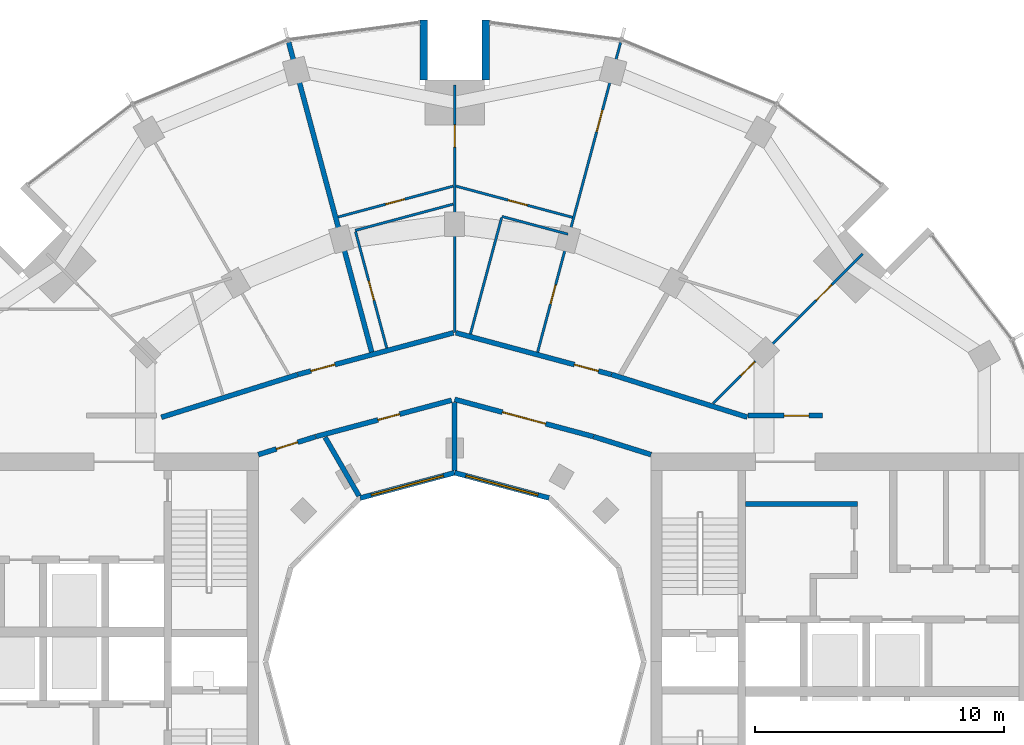
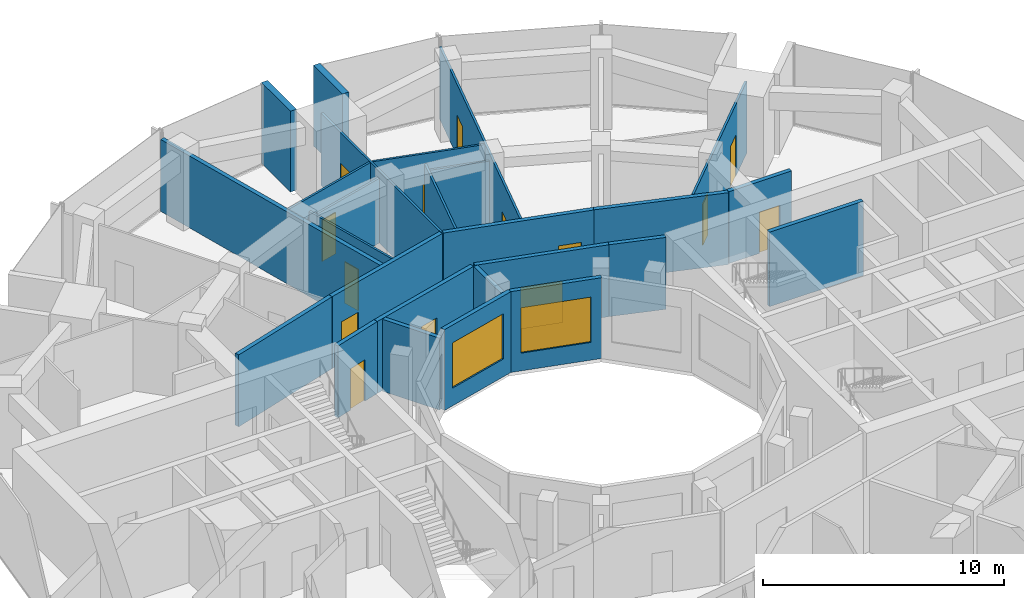
# One storey, part 12 of 15: 26 walls, 14 doors, 2 windows, 16 openings.
"""IFC4 building model written with IfcOpenShell, lengths in metres."""

from ifc_helpers import new_model, si_unit, direction, frame, frame_2d, origin, place, context, subcontext, project, spatial, rectangle, extrude, material, layer, layer_set, type_object, element, fill, save


model = new_model("IFC4")

# Units and contexts
model_context = context("Model", 3, precision=1e-05, world=origin(), true_north=direction((0.0, 1.0)))
body_context = subcontext(model_context, "Body", "Model", "MODEL_VIEW")
ifc_project = project(units=[si_unit("LENGTHUNIT", "METRE"), si_unit("AREAUNIT", "SQUARE_METRE"), si_unit("VOLUMEUNIT", "CUBIC_METRE"), si_unit("PLANEANGLEUNIT", "RADIAN"), si_unit("MASSUNIT", "GRAM", prefix="KILO")], contexts=[model_context])

# Site, building, storey
site_placement = place(None, origin())
site = spatial("IfcSite", under=ifc_project, at=site_placement, CompositionType="ELEMENT")
building_placement = place(site_placement, origin())
building = spatial("IfcBuilding", under=site, at=building_placement, Name="Torre Brocal", CompositionType="ELEMENT")
storey_placement = place(building_placement, frame((0.0, 0.0, 194.60009765625)))
storey = spatial("IfcBuildingStorey", under=building, at=storey_placement, Name="L45", CompositionType="ELEMENT", Elevation=194.60009765625)

# Walls
ifc_material_1 = material(Name="Concrete C70", Category="concrete")
ifc_layer_1 = layer(ifc_material_1, 0.199951171875)
ifc_layer_set_1 = layer_set([ifc_layer_1], Name="Concrete C70")
wall_type_1 = type_object("IfcWallType", Name="CORE WALL 200 C70", PredefinedType="SHEAR", material=ifc_layer_set_1)
wall_1_placement = place(storey_placement, frame((91.699951171875, 81.35009765625, 0.0), z_axis=(0.0, 0.0, 1.0), x_axis=(1.0, 0.0, 0.0)))
element("IfcWall", 1, at=wall_1_placement, inside=storey, type_object=wall_type_1, Name="Wall CW200-70", PredefinedType="SHEAR", context=body_context, shape_type="SweptSolid", body=[
    extrude(rectangle(XDim=4.5, YDim=0.199951171875, at=frame_2d((2.25, 0.0))), origin(), (0.0, 0.0, 1.0), 3.77978515625),
])
ifc_material_2 = material(Name="Concrete C70", Category="concrete")
ifc_layer_2 = layer(ifc_material_2, 0.300048828125)
ifc_layer_set_2 = layer_set([ifc_layer_2], Name="Concrete C70")
wall_type_2 = type_object("IfcWallType", Name="NOTCH RETURN WALL 300 C70", PredefinedType="NOTDEFINED", material=ifc_layer_set_2)
for number, where, z_axis, x_axis, name in (
    (2, (81.25, 98.39990234375, 0.0), (0.0, 0.0, 1.0), (0.0, 1.0, 0.0), "NOTCH RETURN WALL"),
    (3, (78.75, 98.39990234375, 0.0), (0.0, 0.0, 1.0), (0.0, 1.0, 0.0), "NOTCH RETURN WALL"),
):
    element("IfcWall", number, at=place(storey_placement, frame(where, z_axis=z_axis, x_axis=x_axis)), inside=storey, type_object=wall_type_2, Name=name, PredefinedType="NOTDEFINED", context=body_context, shape_type="SweptSolid", body=[
        extrude(rectangle(XDim=2.415771484375, YDim=0.300048828125, at=frame_2d((1.2080078125, 0.0))), origin(), (0.0, 0.0, 1.0), 4.099853515625),
    ])

# Wall, opening, door
ifc_material_3 = material(Name="Gypsum board", Category="Gypsum")
ifc_layer_3 = layer(ifc_material_3, 0.10009765625)
ifc_layer_set_3 = layer_set([ifc_layer_3], Name="Gypsum board")
wall_type_3 = type_object("IfcWallType", Name="PARTITION 100", PredefinedType="PARTITIONING", material=ifc_layer_set_3)
wall_2_placement = place(storey_placement, frame((75.310546875, 92.889892578125, 0.0), z_axis=(0.0, 0.0, 1.0), x_axis=(0.965887579691, 0.258961741187, 0.0)))
wall_2 = element("IfcWall", 4, at=wall_2_placement, inside=storey, type_object=wall_type_3, Name="BATHROOM WALL", PredefinedType="PARTITIONING", context=body_context, shape_type="SweptSolid", body=[
    extrude(rectangle(XDim=4.794921875, YDim=0.10009765625, at=frame_2d((2.3974609375, 0.0))), origin(), (0.0, 0.0, 1.0), 3.64990234375),
])
opening_1_placement = place(wall_2_placement, frame((1.9775390625, 0.0, 0.0)))
opening_1 = element("IfcOpeningElement", 5, at=opening_1_placement, cuts=wall_2, Name="Opening R04-D10", PredefinedType="OPENING", context=body_context, shape_type="SweptSolid", body=[
    extrude(rectangle(XDim=0.800048828125, YDim=2.10009765625, at=frame_2d((0.39990234375, 1.050048828125))), frame((0.0, 0.06005859375, 0.0), z_axis=(0.0, -1.0, 0.0), x_axis=(1.0, 0.0, 0.0)), (0.0, 0.0, 1.0), 0.1201171875),
])
ifc_material_4 = material(Name="Timber", Category="wood")
door_type_1 = type_object("IfcDoorType", Name="BATHROOM DOOR 800X2100", OperationType="SINGLE_SWING_LEFT", PredefinedType="DOOR", material=ifc_material_4)
door_1_placement = place(opening_1_placement, origin())
door_1 = element("IfcDoor", 6, at=door_1_placement, inside=storey, type_object=door_type_1, Name="R04-D10", OperationType="SINGLE_SWING_LEFT", OverallHeight=2.10009765625, OverallWidth=0.800048828125, PredefinedType="DOOR", context=body_context, shape_type="SweptSolid", body=[
    extrude(rectangle(XDim=0.800048828125, YDim=2.10009765625, at=frame_2d((0.39990234375, 1.050048828125))), frame((0.0, 0.02490234375, 0.0), z_axis=(0.0, -1.0, 0.0), x_axis=(1.0, 0.0, 0.0)), (0.0, 0.0, 1.0), 0.050048828125),
])
fill(opening_1, door_1)

wall_3_placement = place(storey_placement, frame((76.012939453125, 92.3017578125, 0.0), z_axis=(0.0, 0.0, 1.0), x_axis=(0.259213325924, -0.965820092804, 0.0)))
wall_3 = element("IfcWall", 7, at=wall_3_placement, inside=storey, type_object=wall_type_3, Name="BATHROOM WALL", PredefinedType="PARTITIONING", context=body_context, shape_type="SweptSolid", body=[
    extrude(rectangle(XDim=4.849609375, YDim=0.10009765625, at=frame_2d((2.4248046875, 0.0))), origin(), (0.0, 0.0, 1.0), 3.64990234375),
])
opening_2_placement = place(wall_3_placement, frame((2.0498046875, 0.0, 0.0)))
opening_2 = element("IfcOpeningElement", 8, at=opening_2_placement, cuts=wall_3, Name="Opening R04-D09", PredefinedType="OPENING", context=body_context, shape_type="SweptSolid", body=[
    extrude(rectangle(XDim=0.800048828125, YDim=2.10009765625, at=frame_2d((0.39990234375, 1.050048828125))), frame((0.0, 0.06005859375, 0.0), z_axis=(0.0, -1.0, 0.0), x_axis=(1.0, 0.0, 0.0)), (0.0, 0.0, 1.0), 0.1201171875),
])
door_2_placement = place(opening_2_placement, origin())
door_2 = element("IfcDoor", 9, at=door_2_placement, inside=storey, type_object=door_type_1, Name="R04-D09", OperationType="SINGLE_SWING_LEFT", OverallHeight=2.10009765625, OverallWidth=0.800048828125, PredefinedType="DOOR", context=body_context, shape_type="SweptSolid", body=[
    extrude(rectangle(XDim=0.800048828125, YDim=2.10009765625, at=frame_2d((0.39990234375, 1.050048828125))), frame((0.0, 0.02490234375, 0.0), z_axis=(0.0, -1.0, 0.0), x_axis=(1.0, 0.0, 0.0)), (0.0, 0.0, 1.0), 0.050048828125),
])
fill(opening_2, door_2)

wall_4_placement = place(storey_placement, frame((80.0, 88.24609375, 0.0), z_axis=(0.0, 0.0, 1.0), x_axis=(0.0, 1.0, 0.0)))
wall_4 = element("IfcWall", 10, at=wall_4_placement, inside=storey, type_object=wall_type_3, Name="BATHROOM WALL", PredefinedType="PARTITIONING", context=body_context, shape_type="SweptSolid", body=[
    extrude(rectangle(XDim=9.953857421875, YDim=0.10009765625, at=frame_2d((4.97705078125, 0.0))), origin(), (0.0, 0.0, 1.0), 3.64990234375),
])
opening_3_placement = place(wall_4_placement, frame((7.452392578125, 0.0, 0.0)))
opening_3 = element("IfcOpeningElement", 11, at=opening_3_placement, cuts=wall_4, Name="Opening R04-D08", PredefinedType="OPENING", context=body_context, shape_type="SweptSolid", body=[
    extrude(rectangle(XDim=0.89990234375, YDim=2.10009765625, at=frame_2d((0.449951171875, 1.050048828125))), frame((0.0, 0.06005859375, 0.0), z_axis=(0.0, -1.0, 0.0), x_axis=(1.0, 0.0, 0.0)), (0.0, 0.0, 1.0), 0.1201171875),
])
ifc_material_5 = material(Name="Timber", Category="wood")
door_type_2 = type_object("IfcDoorType", Name="ROOM DOOR 900X2100", OperationType="SINGLE_SWING_LEFT", PredefinedType="DOOR", material=ifc_material_5)
door_3_placement = place(opening_3_placement, origin())
door_3 = element("IfcDoor", 12, at=door_3_placement, inside=storey, type_object=door_type_2, Name="R04-D08", OperationType="SINGLE_SWING_RIGHT", OverallHeight=2.10009765625, OverallWidth=0.89990234375, PredefinedType="DOOR", context=body_context, shape_type="SweptSolid", body=[
    extrude(rectangle(XDim=0.89990234375, YDim=2.10009765625, at=frame_2d((0.449951171875, 1.050048828125))), frame((0.0, 0.02490234375, 0.0), z_axis=(0.0, -1.0, 0.0), x_axis=(1.0, 0.0, 0.0)), (0.0, 0.0, 1.0), 0.050048828125),
])
fill(opening_3, door_3)

wall_5_placement = place(storey_placement, frame((80.05810546875, 94.131591796875, 0.0), z_axis=(0.0, 0.0, 1.0), x_axis=(0.96588865472, -0.258957731459, 0.0)))
wall_5 = element("IfcWall", 13, at=wall_5_placement, inside=storey, type_object=wall_type_3, Name="BATHROOM WALL", PredefinedType="PARTITIONING", context=body_context, shape_type="SweptSolid", body=[
    extrude(rectangle(XDim=4.844970703125, YDim=0.10009765625, at=frame_2d((2.42236328125, 0.0))), origin(), (0.0, 0.0, 1.0), 3.64990234375),
])
opening_4_placement = place(wall_5_placement, frame((2.16748046875, 0.0, 0.0)))
opening_4 = element("IfcOpeningElement", 14, at=opening_4_placement, cuts=wall_5, Name="Opening R04-D06", PredefinedType="OPENING", context=body_context, shape_type="SweptSolid", body=[
    extrude(rectangle(XDim=0.800048828125, YDim=2.10009765625, at=frame_2d((0.39990234375, 1.050048828125))), frame((0.0, 0.06005859375, 0.0), z_axis=(0.0, -1.0, 0.0), x_axis=(1.0, 0.0, 0.0)), (0.0, 0.0, 1.0), 0.1201171875),
])
door_4_placement = place(opening_4_placement, frame((0.800048828125, 0.0, 0.0), z_axis=(0.0, 0.0, 1.0), x_axis=(-1.0, 0.0, 0.0)))
door_4 = element("IfcDoor", 15, at=door_4_placement, inside=storey, type_object=door_type_1, Name="R04-D06", OperationType="SINGLE_SWING_LEFT", OverallHeight=2.10009765625, OverallWidth=0.800048828125, PredefinedType="DOOR", context=body_context, shape_type="SweptSolid", body=[
    extrude(rectangle(XDim=0.800048828125, YDim=2.10009765625, at=frame_2d((0.39990234375, 1.050048828125))), frame((0.0, 0.02490234375, 0.0), z_axis=(0.0, -1.0, 0.0), x_axis=(1.0, 0.0, 0.0)), (0.0, 0.0, 1.0), 0.050048828125),
])
fill(opening_4, door_4)

# Wall
wall_6_placement = place(storey_placement, frame((80.633056640625, 88.179931640625, 0.0), z_axis=(0.0, 0.0, 1.0), x_axis=(0.258975098822, 0.965883998309, 0.0)))
element("IfcWall", 16, at=wall_6_placement, inside=storey, type_object=wall_type_3, Name="BATHROOM WALL", PredefinedType="PARTITIONING", context=body_context, shape_type="SweptSolid", body=[
    extrude(rectangle(XDim=4.850341796875, YDim=0.10009765625, at=frame_2d((2.42529296875, 0.0))), origin(), (0.0, 0.0, 1.0), 3.64990234375),
])

# Wall, openings, doors
wall_7_placement = place(storey_placement, frame((83.336669921875, 87.455078125, 0.0), z_axis=(0.0, 0.0, 1.0), x_axis=(0.258878883978, 0.965909790524, 0.0)))
wall_7 = element("IfcWall", 17, at=wall_7_placement, inside=storey, type_object=wall_type_3, Name="BATHROOM WALL", PredefinedType="PARTITIONING", context=body_context, shape_type="SweptSolid", body=[
    extrude(rectangle(XDim=12.904052734375, YDim=0.10009765625, at=frame_2d((6.4521484375, 0.0))), origin(), (0.0, 0.0, 1.0), 3.64990234375),
])
opening_5_placement = place(wall_7_placement, frame((9.176513671875, 0.0, 0.0)))
opening_5 = element("IfcOpeningElement", 18, at=opening_5_placement, cuts=wall_7, Name="Opening R04-D05", PredefinedType="OPENING", context=body_context, shape_type="SweptSolid", body=[
    extrude(rectangle(XDim=0.89990234375, YDim=2.10009765625, at=frame_2d((0.449951171875, 1.050048828125))), frame((0.0, 0.06005859375, 0.0), z_axis=(0.0, -1.0, 0.0), x_axis=(1.0, 0.0, 0.0)), (0.0, 0.0, 1.0), 0.1201171875),
])
opening_6_placement = place(wall_7_placement, frame((2.009521484375, 0.0, 0.0)))
opening_6 = element("IfcOpeningElement", 19, at=opening_6_placement, cuts=wall_7, Name="Opening R04-D07", PredefinedType="OPENING", context=body_context, shape_type="SweptSolid", body=[
    extrude(rectangle(XDim=0.800048828125, YDim=2.10009765625, at=frame_2d((0.39990234375, 1.050048828125))), frame((0.0, 0.06005859375, 0.0), z_axis=(0.0, -1.0, 0.0), x_axis=(1.0, 0.0, 0.0)), (0.0, 0.0, 1.0), 0.1201171875),
])
door_5_placement = place(opening_6_placement, origin())
door_5 = element("IfcDoor", 20, at=door_5_placement, inside=storey, type_object=door_type_1, Name="R04-D07", OperationType="SINGLE_SWING_RIGHT", OverallHeight=2.10009765625, OverallWidth=0.800048828125, PredefinedType="DOOR", context=body_context, shape_type="SweptSolid", body=[
    extrude(rectangle(XDim=0.800048828125, YDim=2.10009765625, at=frame_2d((0.39990234375, 1.050048828125))), frame((0.0, 0.02490234375, 0.0), z_axis=(0.0, -1.0, 0.0), x_axis=(1.0, 0.0, 0.0)), (0.0, 0.0, 1.0), 0.050048828125),
])
fill(opening_6, door_5)
door_6_placement = place(opening_5_placement, frame((0.89990234375, 0.0, 0.0), z_axis=(0.0, 0.0, 1.0), x_axis=(-1.0, 0.0, 0.0)))
door_6 = element("IfcDoor", 21, at=door_6_placement, inside=storey, type_object=door_type_2, Name="R04-D05", OperationType="SINGLE_SWING_LEFT", OverallHeight=2.10009765625, OverallWidth=0.89990234375, PredefinedType="DOOR", context=body_context, shape_type="SweptSolid", body=[
    extrude(rectangle(XDim=0.89990234375, YDim=2.10009765625, at=frame_2d((0.449951171875, 1.050048828125))), frame((0.0, 0.02490234375, 0.0), z_axis=(0.0, -1.0, 0.0), x_axis=(1.0, 0.0, 0.0)), (0.0, 0.0, 1.0), 0.050048828125),
])
fill(opening_5, door_6)

wall_8_placement = place(storey_placement, frame((90.397216796875, 85.392822265625, 0.0), z_axis=(0.0, 0.0, 1.0), x_axis=(0.707264750546, 0.706948776529, 0.0)))
wall_8 = element("IfcWall", 22, at=wall_8_placement, inside=storey, type_object=wall_type_3, Name="BATHROOM WALL", PredefinedType="PARTITIONING", context=body_context, shape_type="SweptSolid", body=[
    extrude(rectangle(XDim=8.499267578125, YDim=0.10009765625, at=frame_2d((4.24951171875, 0.0))), origin(), (0.0, 0.0, 1.0), 3.64990234375),
])
opening_7_placement = place(wall_8_placement, frame((5.856689453125, 0.0, 0.0)))
opening_7 = element("IfcOpeningElement", 23, at=opening_7_placement, cuts=wall_8, Name="Opening R04-D02", PredefinedType="OPENING", context=body_context, shape_type="SweptSolid", body=[
    extrude(rectangle(XDim=0.89990234375, YDim=2.10009765625, at=frame_2d((0.449951171875, 1.050048828125))), frame((0.0, 0.06005859375, 0.0), z_axis=(0.0, -1.0, 0.0), x_axis=(1.0, 0.0, 0.0)), (0.0, 0.0, 1.0), 0.1201171875),
])
opening_8_placement = place(wall_8_placement, frame((1.569091796875, 0.0, 0.0)))
opening_8 = element("IfcOpeningElement", 24, at=opening_8_placement, cuts=wall_8, Name="Opening R04-D03", PredefinedType="OPENING", context=body_context, shape_type="SweptSolid", body=[
    extrude(rectangle(XDim=0.800048828125, YDim=2.10009765625, at=frame_2d((0.39990234375, 1.050048828125))), frame((0.0, 0.06005859375, 0.0), z_axis=(0.0, -1.0, 0.0), x_axis=(1.0, 0.0, 0.0)), (0.0, 0.0, 1.0), 0.1201171875),
])
door_7_placement = place(opening_8_placement, origin())
door_7 = element("IfcDoor", 25, at=door_7_placement, inside=storey, type_object=door_type_1, Name="R04-D03", OperationType="SINGLE_SWING_LEFT", OverallHeight=2.10009765625, OverallWidth=0.800048828125, PredefinedType="DOOR", context=body_context, shape_type="SweptSolid", body=[
    extrude(rectangle(XDim=0.800048828125, YDim=2.10009765625, at=frame_2d((0.39990234375, 1.050048828125))), frame((0.0, 0.02490234375, 0.0), z_axis=(0.0, -1.0, 0.0), x_axis=(1.0, 0.0, 0.0)), (0.0, 0.0, 1.0), 0.050048828125),
])
fill(opening_8, door_7)
door_8_placement = place(opening_7_placement, frame((0.89990234375, 0.0, 0.0), z_axis=(0.0, 0.0, 1.0), x_axis=(-1.0, 0.0, 0.0)))
door_8 = element("IfcDoor", 26, at=door_8_placement, inside=storey, type_object=door_type_2, Name="R04-D02", OperationType="SINGLE_SWING_LEFT", OverallHeight=2.10009765625, OverallWidth=0.89990234375, PredefinedType="DOOR", context=body_context, shape_type="SweptSolid", body=[
    extrude(rectangle(XDim=0.89990234375, YDim=2.10009765625, at=frame_2d((0.449951171875, 1.050048828125))), frame((0.0, 0.02490234375, 0.0), z_axis=(0.0, -1.0, 0.0), x_axis=(1.0, 0.0, 0.0)), (0.0, 0.0, 1.0), 0.050048828125),
])
fill(opening_7, door_8)

# Walls
ifc_material_6 = material(Name="Gypsum board", Category="Gypsum")
ifc_layer_4 = layer(ifc_material_6, 0.10009765625)
ifc_layer_set_4 = layer_set([ifc_layer_4], Name="Gypsum board")
wall_type_4 = type_object("IfcWallType", Name="PARTITION 100 UNDER BEAM 820", PredefinedType="PARTITIONING", material=ifc_layer_set_4)
wall_9_placement = place(storey_placement, frame((76.0, 92.35009765625, 0.0), z_axis=(0.0, 0.0, 1.0), x_axis=(0.965855616718, 0.259080928775, 0.0)))
element("IfcWall", 27, at=wall_9_placement, inside=storey, type_object=wall_type_4, Name="BATHROOM WALL", PredefinedType="PARTITIONING", context=body_context, shape_type="SweptSolid", body=[
    extrude(rectangle(XDim=4.081298828125, YDim=0.10009765625, at=frame_2d((2.04052734375, 0.0))), origin(), (0.0, 0.0, 1.0), 3.27978515625),
])
wall_10_placement = place(storey_placement, frame((81.902099609375, 92.9130859375, 0.0), z_axis=(0.0, 0.0, 1.0), x_axis=(0.965846090635, -0.259116439472, 0.0)))
element("IfcWall", 28, at=wall_10_placement, inside=storey, type_object=wall_type_4, Name="BATHROOM WALL", PredefinedType="PARTITIONING", context=body_context, shape_type="SweptSolid", body=[
    extrude(rectangle(XDim=2.748291015625, YDim=0.10009765625, at=frame_2d((1.3740234375, 0.0))), origin(), (0.0, 0.0, 1.0), 3.27978515625),
])
ifc_material_7 = material(Name="Gypsum board", Category="Gypsum")
ifc_layer_5 = layer(ifc_material_7, 0.199951171875)
ifc_layer_set_5 = layer_set([ifc_layer_5], Name="Gypsum board")
wall_type_5 = type_object("IfcWallType", Name="PARTITION 200 EI60", PredefinedType="PARTITIONING", material=ifc_layer_set_5)
wall_11_placement = place(storey_placement, frame((68.19970703125, 84.833984375, 0.0), z_axis=(0.0, 0.0, 1.0), x_axis=(0.954272398161, 0.298938438661, 0.0)))
element("IfcWall", 29, at=wall_11_placement, inside=storey, type_object=wall_type_5, Name="FLAT ENTRANCE WALL", PredefinedType="PARTITIONING", context=body_context, shape_type="SweptSolid", body=[
    extrude(rectangle(XDim=5.740478515625, YDim=0.199951171875, at=frame_2d((2.8701171875, 0.0))), origin(), (0.0, 0.0, 1.0), 3.64990234375),
])

# Wall, opening, door
wall_12_placement = place(storey_placement, frame((72.10009765625, 83.33203125, 0.0), z_axis=(0.0, 0.0, 1.0), x_axis=(0.954233106619, 0.299063836383, 0.0)))
wall_12 = element("IfcWall", 30, at=wall_12_placement, inside=storey, type_object=wall_type_5, Name="CORRIDOR WALL", PredefinedType="PARTITIONING", context=body_context, shape_type="SweptSolid", body=[
    extrude(rectangle(XDim=2.4140625, YDim=0.199951171875, at=frame_2d((1.20703125, 0.0))), origin(), (0.0, 0.0, 1.0), 3.64990234375),
])
opening_9_placement = place(wall_12_placement, frame((0.761962890625, 0.0, 0.0)))
opening_9 = element("IfcOpeningElement", 31, at=opening_9_placement, cuts=wall_12, Name="Opening R04-D20", PredefinedType="OPENING", context=body_context, shape_type="SweptSolid", body=[
    extrude(rectangle(XDim=0.89990234375, YDim=2.10009765625, at=frame_2d((0.449951171875, 1.050048828125))), frame((0.0, 0.10986328125, 0.0), z_axis=(0.0, -1.0, 0.0), x_axis=(1.0, 0.0, 0.0)), (0.0, 0.0, 1.0), 0.219970703125),
])
door_9_placement = place(opening_9_placement, frame((0.89990234375, 0.0, 0.0), z_axis=(0.0, 0.0, 1.0), x_axis=(-1.0, 0.0, 0.0)))
door_9 = element("IfcDoor", 32, at=door_9_placement, inside=storey, type_object=door_type_2, Name="R04-D20", OperationType="SINGLE_SWING_RIGHT", OverallHeight=2.10009765625, OverallWidth=0.89990234375, PredefinedType="DOOR", context=body_context, shape_type="SweptSolid", body=[
    extrude(rectangle(XDim=0.89990234375, YDim=2.10009765625, at=frame_2d((0.449951171875, 1.050048828125))), frame((0.0, 0.02490234375, 0.0), z_axis=(0.0, -1.0, 0.0), x_axis=(1.0, 0.0, 0.0)), (0.0, 0.0, 1.0), 0.050048828125),
])
fill(opening_9, door_9)

# Wall
wall_13_placement = place(storey_placement, frame((73.323486328125, 99.91943359375, 0.0), z_axis=(0.0, 0.0, 1.0), x_axis=(0.258768239436, -0.965939438194, 0.0)))
element("IfcWall", 33, at=wall_13_placement, inside=storey, type_object=wall_type_5, Name="BATHROOM WALL", PredefinedType="PARTITIONING", context=body_context, shape_type="SweptSolid", body=[
    extrude(rectangle(XDim=12.90380859375, YDim=0.199951171875, at=frame_2d((6.451904296875, 0.0))), origin(), (0.0, 0.0, 1.0), 3.64990234375),
])

# Wall, opening, door
wall_14_placement = place(storey_placement, frame((73.68701171875, 86.55419921875, 0.0), z_axis=(0.0, 0.0, 1.0), x_axis=(0.96595258731, 0.258719150952, 0.0)))
wall_14 = element("IfcWall", 34, at=wall_14_placement, inside=storey, type_object=wall_type_5, Name="FLAT ENTRANCE WALL", PredefinedType="PARTITIONING", context=body_context, shape_type="SweptSolid", body=[
    extrude(rectangle(XDim=6.485595703125, YDim=0.199951171875, at=frame_2d((3.24267578125, 0.0))), origin(), (0.0, 0.0, 1.0), 3.64990234375),
])
opening_10_placement = place(wall_14_placement, frame((0.550048828125, 0.0, 0.0)))
opening_10 = element("IfcOpeningElement", 35, at=opening_10_placement, cuts=wall_14, Name="Opening R04-D11", PredefinedType="OPENING", context=body_context, shape_type="SweptSolid", body=[
    extrude(rectangle(XDim=1.0, YDim=2.10009765625, at=frame_2d((0.5, 1.050048828125))), frame((0.0, 0.10986328125, 0.0), z_axis=(0.0, -1.0, 0.0), x_axis=(1.0, 0.0, 0.0)), (0.0, 0.0, 1.0), 0.219970703125),
])
ifc_material_8 = material(Name="Timber", Category="wood")
door_type_3 = type_object("IfcDoorType", Name="FLAT ENTRY DOOR FD30S 1000X2100", OperationType="SINGLE_SWING_RIGHT", PredefinedType="DOOR", material=ifc_material_8)
door_10_placement = place(opening_10_placement, origin())
door_10 = element("IfcDoor", 36, at=door_10_placement, inside=storey, type_object=door_type_3, Name="R04-D11", OperationType="SINGLE_SWING_LEFT", OverallHeight=2.10009765625, OverallWidth=1.0, PredefinedType="DOOR", context=body_context, shape_type="SweptSolid", body=[
    extrude(rectangle(XDim=1.0, YDim=2.10009765625, at=frame_2d((0.5, 1.050048828125))), frame((0.0, 0.02490234375, 0.0), z_axis=(0.0, -1.0, 0.0), x_axis=(1.0, 0.0, 0.0)), (0.0, 0.0, 1.0), 0.050048828125),
])
fill(opening_10, door_10)

wall_15_placement = place(storey_placement, frame((74.4130859375, 84.056884765625, 0.0), z_axis=(0.0, 0.0, 1.0), x_axis=(0.965972135939, 0.258646153246, 0.0)))
wall_15 = element("IfcWall", 37, at=wall_15_placement, inside=storey, type_object=wall_type_5, Name="CORRIDOR WALL", PredefinedType="PARTITIONING", context=body_context, shape_type="SweptSolid", body=[
    extrude(rectangle(XDim=5.654052734375, YDim=0.199951171875, at=frame_2d((2.8271484375, 0.0))), origin(), (0.0, 0.0, 1.0), 3.64990234375),
])
opening_11_placement = place(wall_15_placement, frame((2.5927734375, 0.0, 0.0)))
opening_11 = element("IfcOpeningElement", 38, at=opening_11_placement, cuts=wall_15, Name="Opening R04-D19", PredefinedType="OPENING", context=body_context, shape_type="SweptSolid", body=[
    extrude(rectangle(XDim=0.89990234375, YDim=2.10009765625, at=frame_2d((0.449951171875, 1.050048828125))), frame((0.0, 0.10986328125, 0.0), z_axis=(0.0, -1.0, 0.0), x_axis=(1.0, 0.0, 0.0)), (0.0, 0.0, 1.0), 0.219970703125),
])
door_11_placement = place(opening_11_placement, frame((0.89990234375, 0.0, 0.0), z_axis=(0.0, 0.0, 1.0), x_axis=(-1.0, 0.0, 0.0)))
door_11 = element("IfcDoor", 39, at=door_11_placement, inside=storey, type_object=door_type_2, Name="R04-D19", OperationType="SINGLE_SWING_RIGHT", OverallHeight=2.10009765625, OverallWidth=0.89990234375, PredefinedType="DOOR", context=body_context, shape_type="SweptSolid", body=[
    extrude(rectangle(XDim=0.89990234375, YDim=2.10009765625, at=frame_2d((0.449951171875, 1.050048828125))), frame((0.0, 0.02490234375, 0.0), z_axis=(0.0, -1.0, 0.0), x_axis=(1.0, 0.0, 0.0)), (0.0, 0.0, 1.0), 0.050048828125),
])
fill(opening_11, door_11)

# Walls
wall_16_placement = place(storey_placement, frame((74.789306640625, 84.0283203125, 0.0), z_axis=(0.0, 0.0, 1.0), x_axis=(0.49993436518, -0.866063294749, 0.0)))
element("IfcWall", 40, at=wall_16_placement, inside=storey, type_object=wall_type_5, Name="PARTY PARTITION", PredefinedType="PARTITIONING", context=body_context, shape_type="SweptSolid", body=[
    extrude(rectangle(XDim=2.725830078125, YDim=0.199951171875, at=frame_2d((1.36279296875, 0.0))), origin(), (0.0, 0.0, 1.0), 3.64990234375),
])
wall_17_placement = place(storey_placement, frame((80.0, 82.699951171875, 0.0), z_axis=(0.0, 0.0, 1.0), x_axis=(0.0, 1.0, 0.0)))
element("IfcWall", 41, at=wall_17_placement, inside=storey, type_object=wall_type_5, Name="PARTY PARTITION", PredefinedType="PARTITIONING", context=body_context, shape_type="SweptSolid", body=[
    extrude(rectangle(XDim=2.72314453125, YDim=0.199951171875, at=frame_2d((1.361572265625, 0.0))), origin(), (0.0, 0.0, 1.0), 3.64990234375),
])

# Wall, opening, door
wall_18_placement = place(storey_placement, frame((80.04833984375, 88.2333984375, 0.0), z_axis=(0.0, 0.0, 1.0), x_axis=(0.965787353661, -0.259335280109, 0.0)))
wall_18 = element("IfcWall", 42, at=wall_18_placement, inside=storey, type_object=wall_type_5, Name="FLAT ENTRANCE WALL", PredefinedType="PARTITIONING", context=body_context, shape_type="SweptSolid", body=[
    extrude(rectangle(XDim=6.47607421875, YDim=0.199951171875, at=frame_2d((3.238037109375, 0.0))), origin(), (0.0, 0.0, 1.0), 3.64990234375),
])
opening_12_placement = place(wall_18_placement, frame((4.935791015625, 0.0, 0.0)))
opening_12 = element("IfcOpeningElement", 43, at=opening_12_placement, cuts=wall_18, Name="Opening R04-D04", PredefinedType="OPENING", context=body_context, shape_type="SweptSolid", body=[
    extrude(rectangle(XDim=1.0, YDim=2.10009765625, at=frame_2d((0.5, 1.050048828125))), frame((0.0, 0.10986328125, 0.0), z_axis=(0.0, -1.0, 0.0), x_axis=(1.0, 0.0, 0.0)), (0.0, 0.0, 1.0), 0.219970703125),
])
door_12_placement = place(opening_12_placement, origin())
door_12 = element("IfcDoor", 44, at=door_12_placement, inside=storey, type_object=door_type_3, Name="R04-D04", OperationType="SINGLE_SWING_RIGHT", OverallHeight=2.10009765625, OverallWidth=1.0, PredefinedType="DOOR", context=body_context, shape_type="SweptSolid", body=[
    extrude(rectangle(XDim=1.0, YDim=2.10009765625, at=frame_2d((0.5, 1.050048828125))), frame((0.0, 0.02490234375, 0.0), z_axis=(0.0, -1.0, 0.0), x_axis=(1.0, 0.0, 0.0)), (0.0, 0.0, 1.0), 0.050048828125),
])
fill(opening_12, door_12)

wall_19_placement = place(storey_placement, frame((80.0009765625, 85.553955078125, 0.0), z_axis=(0.0, 0.0, 1.0), x_axis=(0.965917658836, -0.258849524528, 0.0)))
wall_19 = element("IfcWall", 45, at=wall_19_placement, inside=storey, type_object=wall_type_5, Name="CORRIDOR WALL", PredefinedType="PARTITIONING", context=body_context, shape_type="SweptSolid", body=[
    extrude(rectangle(XDim=5.773193359375, YDim=0.199951171875, at=frame_2d((2.88671875, 0.0))), origin(), (0.0, 0.0, 1.0), 3.64990234375),
])
opening_13_placement = place(wall_19_placement, frame((1.9912109375, 0.0, 0.0)))
opening_13 = element("IfcOpeningElement", 46, at=opening_13_placement, cuts=wall_19, Name="Opening R04-D18", PredefinedType="OPENING", context=body_context, shape_type="SweptSolid", body=[
    extrude(rectangle(XDim=1.800048828125, YDim=2.10009765625, at=frame_2d((0.89990234375, 1.050048828125))), frame((0.0, 0.10986328125, 0.0), z_axis=(0.0, -1.0, 0.0), x_axis=(1.0, 0.0, 0.0)), (0.0, 0.0, 1.0), 0.219970703125),
])
ifc_material_9 = material(Name="Timber", Category="wood")
door_type_4 = type_object("IfcDoorType", Name="DOUBLE DOOR 1800X2100", OperationType="DOUBLE_DOOR_SINGLE_SWING", PredefinedType="DOOR", material=ifc_material_9)
door_13_placement = place(opening_13_placement, frame((1.800048828125, 0.0, 0.0), z_axis=(0.0, 0.0, 1.0), x_axis=(-1.0, 0.0, 0.0)))
door_13 = element("IfcDoor", 47, at=door_13_placement, inside=storey, type_object=door_type_4, Name="R04-D18", OperationType="DOUBLE_DOOR_SINGLE_SWING", OverallHeight=2.10009765625, OverallWidth=1.800048828125, PredefinedType="DOOR", context=body_context, shape_type="SweptSolid", body=[
    extrude(rectangle(XDim=1.800048828125, YDim=2.10009765625, at=frame_2d((0.89990234375, 1.050048828125))), frame((0.0, 0.02490234375, 0.0), z_axis=(0.0, -1.0, 0.0), x_axis=(1.0, 0.0, 0.0)), (0.0, 0.0, 1.0), 0.050048828125),
])
fill(opening_13, door_13)

# Walls
wall_20_placement = place(storey_placement, frame((85.5869140625, 84.056884765625, 0.0), z_axis=(0.0, 0.0, 1.0), x_axis=(0.954210767728, -0.299135104513, 0.0)))
element("IfcWall", 48, at=wall_20_placement, inside=storey, type_object=wall_type_5, Name="CORRIDOR WALL", PredefinedType="PARTITIONING", context=body_context, shape_type="SweptSolid", body=[
    extrude(rectangle(XDim=2.424072265625, YDim=0.199951171875, at=frame_2d((1.2119140625, 0.0))), origin(), (0.0, 0.0, 1.0), 3.64990234375),
])
wall_21_placement = place(storey_placement, frame((86.31298828125, 86.554443359375, 0.0), z_axis=(0.0, 0.0, 1.0), x_axis=(0.954081217458, -0.299548043717, 0.0)))
element("IfcWall", 49, at=wall_21_placement, inside=storey, type_object=wall_type_5, Name="FLAT ENTRANCE WALL", PredefinedType="PARTITIONING", context=body_context, shape_type="SweptSolid", body=[
    extrude(rectangle(XDim=5.720703125, YDim=0.199951171875, at=frame_2d((2.8603515625, 0.0))), origin(), (0.0, 0.0, 1.0), 3.64990234375),
])

# Wall, opening, door
wall_22_placement = place(storey_placement, frame((91.800048828125, 84.89990234375, 0.0), z_axis=(0.0, 0.0, 1.0), x_axis=(1.0, 0.0, 0.0)))
wall_22 = element("IfcWall", 50, at=wall_22_placement, inside=storey, type_object=wall_type_5, Name="FLAT ENTRANCE WALL", PredefinedType="PARTITIONING", context=body_context, shape_type="SweptSolid", body=[
    extrude(rectangle(XDim=3.0, YDim=0.199951171875, at=frame_2d((1.5, 0.0))), origin(), (0.0, 0.0, 1.0), 3.64990234375),
])
opening_14_placement = place(wall_22_placement, frame((1.449951171875, 0.0, 0.0)))
opening_14 = element("IfcOpeningElement", 51, at=opening_14_placement, cuts=wall_22, Name="Opening R04-D01", PredefinedType="OPENING", context=body_context, shape_type="SweptSolid", body=[
    extrude(rectangle(XDim=1.0, YDim=2.10009765625, at=frame_2d((0.5, 1.050048828125))), frame((0.0, 0.10986328125, 0.0), z_axis=(0.0, -1.0, 0.0), x_axis=(1.0, 0.0, 0.0)), (0.0, 0.0, 1.0), 0.219970703125),
])
door_14_placement = place(opening_14_placement, origin())
door_14 = element("IfcDoor", 52, at=door_14_placement, inside=storey, type_object=door_type_3, Name="R04-D01", OperationType="SINGLE_SWING_LEFT", OverallHeight=2.10009765625, OverallWidth=1.0, PredefinedType="DOOR", context=body_context, shape_type="SweptSolid", body=[
    extrude(rectangle(XDim=1.0, YDim=2.10009765625, at=frame_2d((0.5, 1.050048828125))), frame((0.0, 0.02490234375, 0.0), z_axis=(0.0, -1.0, 0.0), x_axis=(1.0, 0.0, 0.0)), (0.0, 0.0, 1.0), 0.050048828125),
])
fill(opening_14, door_14)

# Wall, opening, window
ifc_material_10 = material(Name="Concrete C40", Category="concrete")
ifc_layer_6 = layer(ifc_material_10, 0.199951171875)
ifc_layer_set_6 = layer_set([ifc_layer_6], Name="Concrete C40")
wall_type_6 = type_object("IfcWallType", Name="WELL FACADE WALL 200", PredefinedType="NOTDEFINED", material=ifc_layer_set_6)
wall_23_placement = place(storey_placement, frame((83.8017578125, 81.5849609375, 0.0), z_axis=(0.0, 0.0, 1.0), x_axis=(-0.965933654434, 0.258789828301, 0.0)))
wall_23 = element("IfcWall", 53, at=wall_23_placement, inside=storey, type_object=wall_type_6, Name="WELL FACADE WALL", PredefinedType="NOTDEFINED", context=body_context, shape_type="SweptSolid", body=[
    extrude(rectangle(XDim=3.935791015625, YDim=0.199951171875, at=frame_2d((1.9677734375, 0.0))), origin(), (0.0, 0.0, 1.0), 4.099853515625),
])
opening_15_placement = place(wall_23_placement, frame((0.468017578125, 0.0, 0.89990234375)))
opening_15 = element("IfcOpeningElement", 54, at=opening_15_placement, cuts=wall_23, Name="Opening W1", PredefinedType="OPENING", context=body_context, shape_type="SweptSolid", body=[
    extrude(rectangle(XDim=3.0, YDim=2.300048828125, at=frame_2d((1.5, 1.14990234375))), frame((0.0, 0.10986328125, 0.0), z_axis=(0.0, -1.0, 0.0), x_axis=(1.0, 0.0, 0.0)), (0.0, 0.0, 1.0), 0.219970703125),
])
ifc_material_11 = material(Name="Aluminium and glass", Category="aluminium")
window_type = type_object("IfcWindowType", Name="WELL WINDOW 3000X2300", PartitioningType="SINGLE_PANEL", PredefinedType="WINDOW", material=ifc_material_11)
window_1_placement = place(opening_15_placement, origin())
window_1 = element("IfcWindow", 55, at=window_1_placement, inside=storey, type_object=window_type, Name="WELL WINDOW 3000X2300", OverallHeight=2.300048828125, OverallWidth=3.0, PartitioningType="SINGLE_PANEL", PredefinedType="WINDOW", context=body_context, shape_type="SweptSolid", body=[
    extrude(rectangle(XDim=3.0, YDim=2.300048828125, at=frame_2d((1.5, 1.14990234375))), frame((0.0, 0.030029296875, 0.0), z_axis=(0.0, -1.0, 0.0), x_axis=(1.0, 0.0, 0.0)), (0.0, 0.0, 1.0), 0.06005859375),
])
fill(opening_15, window_1)

wall_24_placement = place(storey_placement, frame((80.0, 82.603515625, 0.0), z_axis=(0.0, 0.0, 1.0), x_axis=(-0.965933654434, -0.258789828301, 0.0)))
wall_24 = element("IfcWall", 56, at=wall_24_placement, inside=storey, type_object=wall_type_6, Name="WELL FACADE WALL", PredefinedType="NOTDEFINED", context=body_context, shape_type="SweptSolid", body=[
    extrude(rectangle(XDim=3.935791015625, YDim=0.199951171875, at=frame_2d((1.9677734375, 0.0))), origin(), (0.0, 0.0, 1.0), 4.099853515625),
])
opening_16_placement = place(wall_24_placement, frame((0.468017578125, 0.0, 0.89990234375)))
opening_16 = element("IfcOpeningElement", 57, at=opening_16_placement, cuts=wall_24, Name="Opening W1", PredefinedType="OPENING", context=body_context, shape_type="SweptSolid", body=[
    extrude(rectangle(XDim=3.0, YDim=2.300048828125, at=frame_2d((1.5, 1.14990234375))), frame((0.0, 0.10986328125, 0.0), z_axis=(0.0, -1.0, 0.0), x_axis=(1.0, 0.0, 0.0)), (0.0, 0.0, 1.0), 0.219970703125),
])
window_2_placement = place(opening_16_placement, origin())
window_2 = element("IfcWindow", 58, at=window_2_placement, inside=storey, type_object=window_type, Name="WELL WINDOW 3000X2300", OverallHeight=2.300048828125, OverallWidth=3.0, PartitioningType="SINGLE_PANEL", PredefinedType="WINDOW", context=body_context, shape_type="SweptSolid", body=[
    extrude(rectangle(XDim=3.0, YDim=2.300048828125, at=frame_2d((1.5, 1.14990234375))), frame((0.0, 0.030029296875, 0.0), z_axis=(0.0, -1.0, 0.0), x_axis=(1.0, 0.0, 0.0)), (0.0, 0.0, 1.0), 0.06005859375),
])
fill(opening_16, window_2)

save(model, "model.ifc")
